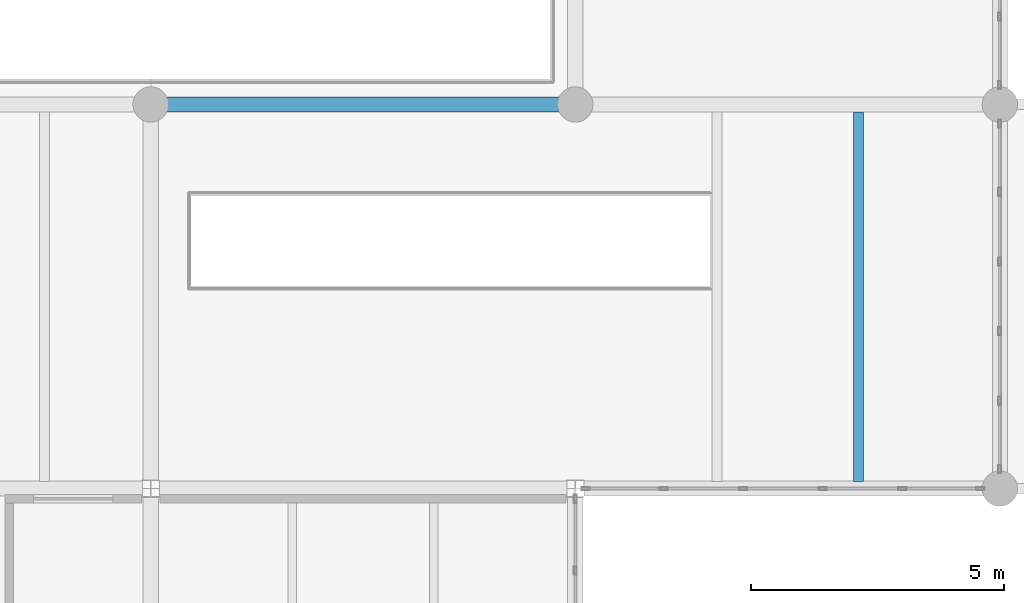
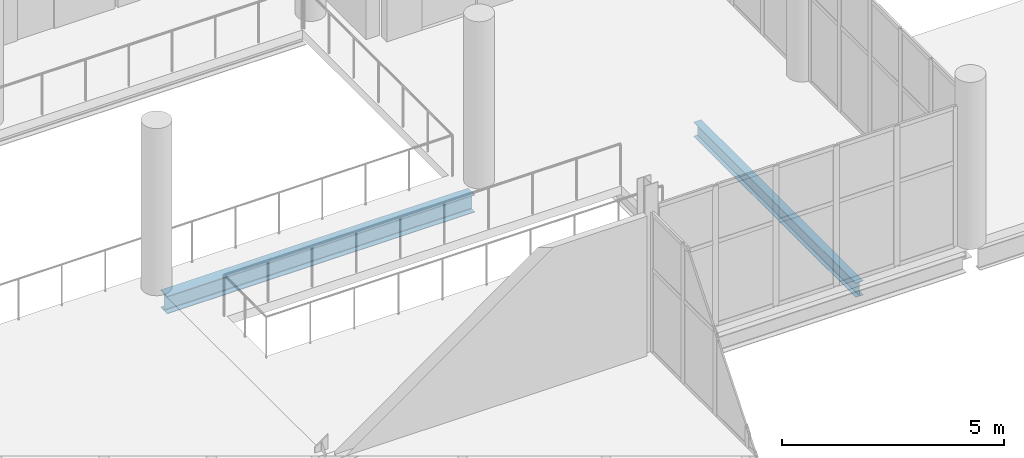
# One storey, part 31 of 136: 2 beams.
"""IFC4 building model written with IfcOpenShell, lengths in metres."""

from ifc_helpers import new_model, si_unit, direction, frame, origin, origin_2d, place, context, subcontext, project, spatial, i_section, extrude, material, material_profile, profile_set, type_object, element, save


model = new_model("IFC4")

# Units and contexts
model_context = context("Model", 3, precision=1e-05, world=origin(), true_north=direction((0.0, 1.0)))
body_context = subcontext(model_context, "Body", "Model", "MODEL_VIEW")
ifc_project = project(units=[si_unit("LENGTHUNIT", "METRE"), si_unit("AREAUNIT", "SQUARE_METRE"), si_unit("VOLUMEUNIT", "CUBIC_METRE"), si_unit("PLANEANGLEUNIT", "RADIAN"), si_unit("MASSUNIT", "GRAM", prefix="KILO")], contexts=[model_context])

# Site, building, storey
site_placement = place(None, origin())
site = spatial("IfcSite", under=ifc_project, at=site_placement, CompositionType="ELEMENT")
building_placement = place(site_placement, origin())
building = spatial("IfcBuilding", under=site, at=building_placement, Name="Shengluoqiao Park Theatre", CompositionType="ELEMENT")
storey_placement = place(building_placement, frame((0.0, 0.0, 10.0)))
storey = spatial("IfcBuildingStorey", under=building, at=storey_placement, Name="L02", CompositionType="ELEMENT", Elevation=10.0)

# Beams
ifc_material = material(Name="Steel Q355", Category="steel")
ifc_material_profile_1 = material_profile(ifc_material, i_section(OverallWidth=0.300048828125, OverallDepth=0.488037109375, WebThickness=0.010986328125, FlangeThickness=0.01806640625, FilletRadius=0.02197265625, at=origin_2d()), Name="HM 488x300x11x18")
ifc_profile_set_1 = profile_set([ifc_material_profile_1], Name="Steel Q355")
beam_type_1 = type_object("IfcBeamType", Name="STR-BM-G-HM488", PredefinedType="BEAM", material=ifc_profile_set_1)
beam_1_placement = place(storey_placement, frame((27.7939453125, 60.800048828125, -0.48388671875), z_axis=(1.0, 0.0, 0.0), x_axis=(0.0, 1.0, 0.0)))
element("IfcBeam", 1, at=beam_1_placement, inside=storey, type_object=beam_type_1, Name="L02 Primary Girder 00972", PredefinedType="BEAM", context=body_context, shape_type="SweptSolid", body=[
    extrude(i_section(OverallWidth=0.300048828125, OverallDepth=0.488037109375, WebThickness=0.010986328125, FlangeThickness=0.01806640625, FilletRadius=0.02197265625, at=origin_2d()), origin(), (0.0, 0.0, 1.0), 8.011962890625),
])
ifc_material_profile_2 = material_profile(ifc_material, i_section(OverallWidth=0.199951171875, OverallDepth=0.39990234375, WebThickness=0.008056640625, FlangeThickness=0.012939453125, FilletRadius=0.01611328125, at=origin_2d()), Name="HN 400x200x8x13")
ifc_profile_set_2 = profile_set([ifc_material_profile_2], Name="Steel Q355")
beam_type_2 = type_object("IfcBeamType", Name="STR-BM-J-HN400", PredefinedType="JOIST", material=ifc_profile_set_2)
beam_2_placement = place(storey_placement, frame((41.60009765625, 53.344970703125, -0.43994140625), z_axis=(0.0, 1.0, 0.0), x_axis=(-1.0, 0.0, 0.0)))
element("IfcBeam", 2, at=beam_2_placement, inside=storey, type_object=beam_type_2, Name="L02 Composite Joist 00985", PredefinedType="JOIST", context=body_context, shape_type="SweptSolid", body=[
    extrude(i_section(OverallWidth=0.199951171875, OverallDepth=0.39990234375, WebThickness=0.008056640625, FlangeThickness=0.012939453125, FilletRadius=0.01611328125, at=origin_2d()), origin(), (0.0, 0.0, 1.0), 7.31005859375),
])

save(model, "model.ifc")
